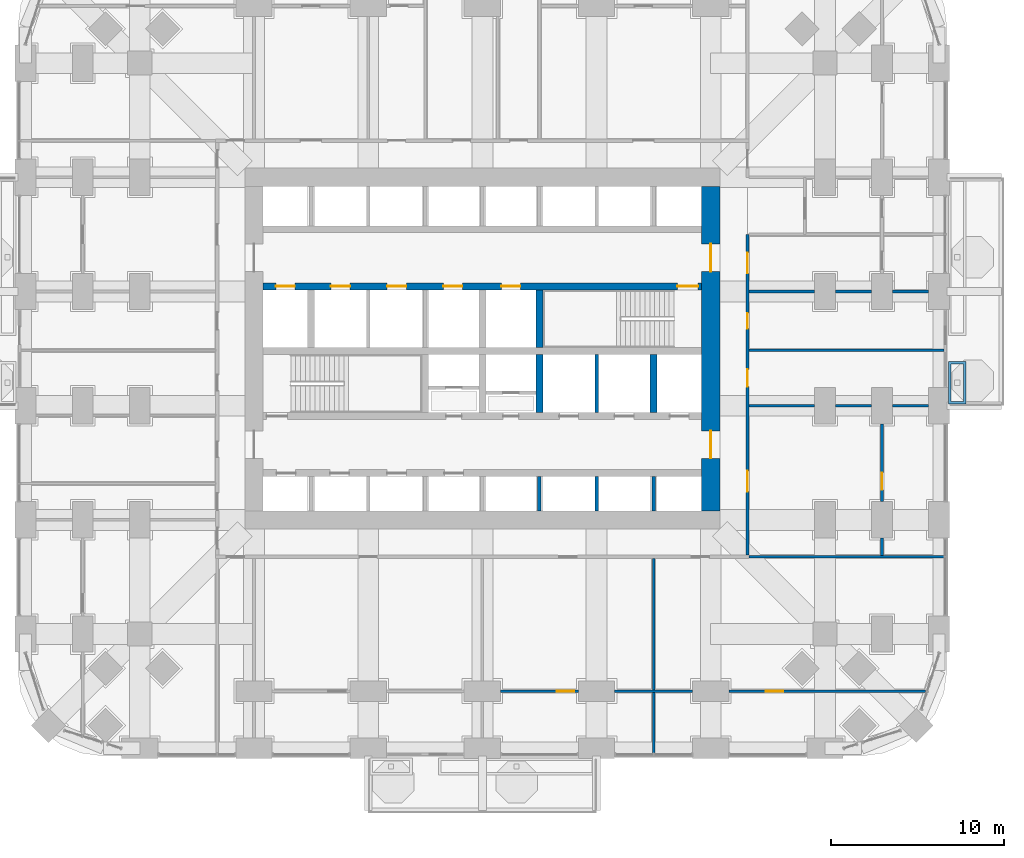
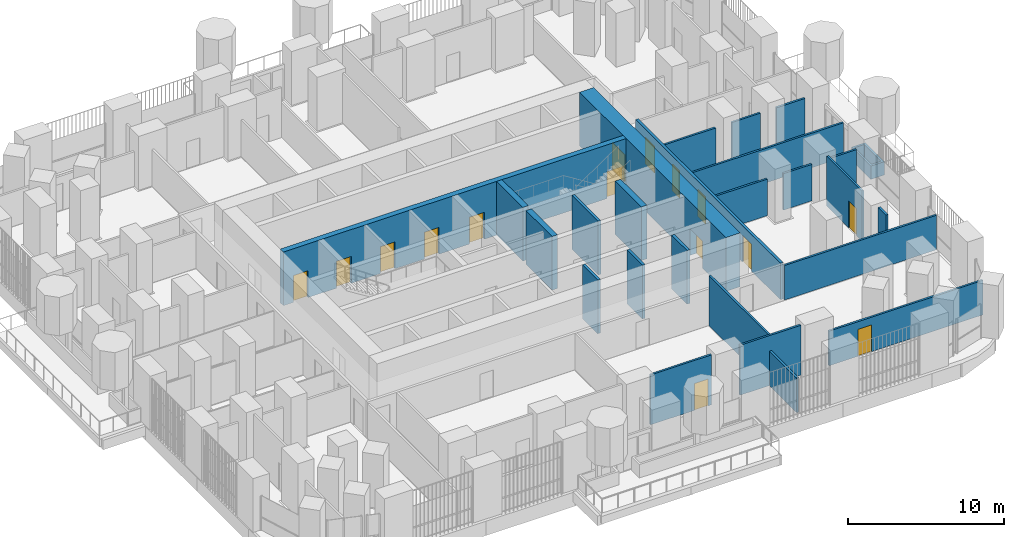
# One storey, part 19 of 26: 26 walls, 15 doors, 15 openings.
"""IFC4 building model written with IfcOpenShell, lengths in metres."""

import ifcopenshell
import ifcopenshell.guid

model = None  # the IFC model being written
_history = None  # IfcOwnerHistory: only IFC2X3 demands one
_inside = {}  # id of a spatial element -> (the spatial element, [elements in it])
_under = {}  # id of a project, library or spatial element -> (it, [spatial elements below it])
_declared = {}  # id of a project -> (the project, [libraries it declares])
_typed = {}  # id of a type object -> (the type object, [elements of that type])
_made_of = {}  # id of a material, layer set ... -> (it, [elements and type objects made of it])


def new_model(schema):
    """Start an empty IFC model of exactly this schema.

    Asked for "IFC4X3", IfcOpenShell would pick the latest addendum, in which some entities
    have other attributes; the version numbers below select the first issue.
    IFC2X3 requires an IfcOwnerHistory on every rooted entity: one is made here for all.
    """
    global model, _history
    if schema == "IFC4X3":
        model = ifcopenshell.file(schema_version=(4, 3, 0, 0))
    else:
        model = ifcopenshell.file(schema=schema)
    _inside.clear()
    _under.clear()
    _declared.clear()
    _typed.clear()
    _made_of.clear()
    _history = None
    if model.schema == "IFC2X3":
        org = make("IfcOrganization", Name="unknown")
        user = make(
            "IfcPersonAndOrganization",
            ThePerson=make("IfcPerson", FamilyName="unknown"),
            TheOrganization=org,
        )
        app = make(
            "IfcApplication",
            ApplicationDeveloper=org,
            Version="unknown",
            ApplicationFullName="unknown",
            ApplicationIdentifier="unknown",
        )
        _history = make(
            "IfcOwnerHistory",
            OwningUser=user,
            OwningApplication=app,
            ChangeAction="ADDED",
            CreationDate=0,
        )
    return model


def make(cls, **values):
    """One entity of the class cls with the attributes given. An attribute that is None is left unset."""
    return model.create_entity(
        cls, **{name: value for name, value in values.items() if value is not None}
    )


def rooted(cls, **values):
    """An entity with a GlobalId (a new one), such as an element, a storey or a relation."""
    return make(cls, GlobalId=ifcopenshell.guid.new(), OwnerHistory=_history, **values)


def si_unit(unit_type, name, prefix=None):
    """IfcSIUnit, for example si_unit("LENGTHUNIT", "METRE", prefix="MILLI")."""
    return make("IfcSIUnit", UnitType=unit_type, Prefix=prefix, Name=name)


def assignment(units):
    """IfcUnitAssignment: the units of a project."""
    return None if units is None else make("IfcUnitAssignment", Units=units)


def point(xyz):
    """IfcCartesianPoint."""
    return None if xyz is None else make("IfcCartesianPoint", Coordinates=xyz)


def direction(xyz):
    """IfcDirection."""
    return None if xyz is None else make("IfcDirection", DirectionRatios=xyz)


def frame(location, z_axis=None, x_axis=None):
    """IfcAxis2Placement3D, a coordinate frame: its origin and axes. An axis left out is left unset."""
    return make(
        "IfcAxis2Placement3D",
        Location=point(location),
        Axis=direction(z_axis),
        RefDirection=direction(x_axis),
    )


def frame_2d(location, x_axis=None):
    """IfcAxis2Placement2D, a coordinate frame in the plane: its origin and x axis."""
    return make(
        "IfcAxis2Placement2D", Location=point(location), RefDirection=direction(x_axis)
    )


def origin():
    """The frame at (0, 0, 0) with its axes left unset."""
    return frame((0.0, 0.0, 0.0))


def place(relative_to, where):
    """IfcLocalPlacement: puts the frame where relative to a parent placement (None: the world)."""
    return make(
        "IfcLocalPlacement", PlacementRelTo=relative_to, RelativePlacement=where
    )


def context(
    kind, dimensions, precision=None, world=None, true_north=None, identifier=None
):
    """IfcGeometricRepresentationContext, for example the 3D "Model" context."""
    return make(
        "IfcGeometricRepresentationContext",
        ContextIdentifier=identifier,
        ContextType=kind,
        CoordinateSpaceDimension=dimensions,
        Precision=precision,
        WorldCoordinateSystem=world,
        TrueNorth=true_north,
    )


def subcontext(parent, identifier, kind, view, scale=None):
    """IfcGeometricRepresentationSubContext, for example "Body" below "Model"."""
    return make(
        "IfcGeometricRepresentationSubContext",
        ContextIdentifier=identifier,
        ContextType=kind,
        ParentContext=parent,
        TargetScale=scale,
        TargetView=view,
    )


def project(units=None, contexts=None):
    """IfcProject with its units and contexts."""
    return rooted(
        "IfcProject",
        Name="project",
        RepresentationContexts=contexts,
        UnitsInContext=assignment(units),
    )


def spatial(cls, under=None, at=None, **own):
    """A site, building, storey or space (cls), placed at a placement, below another one or the project."""
    s = rooted(cls, ObjectPlacement=at, **own)
    if under is not None:
        _under.setdefault(under.id(), (under, []))[1].append(s)
    return s


def polyline(points):
    """IfcPolyline through the points."""
    return make("IfcPolyline", Points=[point(p) for p in points])


def profile(cls, at=None, kind="AREA", **sizes):
    """A parametric profile (cls). Its sizes go by their IFC names, for example OverallWidth=200.0."""
    return make(cls, ProfileType=kind, Position=at, **sizes)


def rectangle(**sizes):
    """IfcRectangleProfileDef."""
    return profile("IfcRectangleProfileDef", **sizes)


def outline(outer, holes=None, kind="AREA"):
    """IfcArbitraryClosedProfileDef: a profile drawn as a closed curve; with holes, ...WithVoids."""
    if holes is None:
        return make("IfcArbitraryClosedProfileDef", ProfileType=kind, OuterCurve=outer)
    return make(
        "IfcArbitraryProfileDefWithVoids",
        ProfileType=kind,
        OuterCurve=outer,
        InnerCurves=holes,
    )


def extrude(swept, where, along, depth):
    """IfcExtrudedAreaSolid: the profile swept, set in the frame where, extruded along a direction by depth."""
    return make(
        "IfcExtrudedAreaSolid",
        SweptArea=swept,
        Position=where,
        ExtrudedDirection=direction(along),
        Depth=depth,
    )


def shape(context_of_items, identifier, shape_type, items):
    """IfcShapeRepresentation: the items that make up one representation, for example the "Body"."""
    return make(
        "IfcShapeRepresentation",
        ContextOfItems=context_of_items,
        RepresentationIdentifier=identifier,
        RepresentationType=shape_type,
        Items=items,
    )


def material(Name=None, Category=None):
    """IfcMaterial."""
    return make("IfcMaterial", Name=Name, Category=Category)


def layer(
    of_material, thickness, ventilated=None, Name=None, Category=None, Priority=None
):
    """IfcMaterialLayer: one layer of a wall or slab, of a material (None: an air gap)."""
    return make(
        "IfcMaterialLayer",
        Material=of_material,
        LayerThickness=thickness,
        IsVentilated=ventilated,
        Name=Name,
        Category=Category,
        Priority=Priority,
    )


def layer_set(layers, Name=None):
    """IfcMaterialLayerSet."""
    return make("IfcMaterialLayerSet", MaterialLayers=layers, LayerSetName=Name)


def made_of(thing, what):
    """Note that an element or type object is made of a material, layer set ...; save() writes the relation."""
    if what is not None:
        _made_of.setdefault(what.id(), (what, []))[1].append(thing)
    return thing


def type_object(cls, material=None, **own):
    """A type object (cls), such as IfcWallType, which elements share."""
    return made_of(rooted(cls, **own), material)


def element(
    cls,
    number,
    at=None,
    inside=None,
    cuts=None,
    type_object=None,
    material=None,
    context=None,
    identifier="Body",
    shape_type=None,
    held_by="IfcProductDefinitionShape",
    body=None,
    shapes=None,
    **own,
):
    """One element of the class cls, such as IfcWall. Its Tag is "e" and its number.

    at: its placement. inside: the storey or other place that contains it. cuts: it is an
    opening in that element (IfcRelVoidsElement). A single representation is given by context,
    identifier, shape_type and body (its items); several are given by shapes. held_by: the class
    of the entity that holds the representations. save() writes the other relations.
    """
    e = rooted(cls, Tag="e%d" % number, ObjectPlacement=at, **own)
    if body is not None:
        shapes = [shape(context, identifier, shape_type, body)]
    if shapes is not None:
        e.Representation = make(held_by, Representations=shapes)
    if inside is not None:
        _inside.setdefault(inside.id(), (inside, []))[1].append(e)
    if cuts is not None:
        rooted(
            "IfcRelVoidsElement", RelatingBuildingElement=cuts, RelatedOpeningElement=e
        )
    if type_object is not None:
        _typed.setdefault(type_object.id(), (type_object, []))[1].append(e)
    return made_of(e, material)


def fill(opening, filler):
    """IfcRelFillsElement: the door or window that sits in an opening."""
    return rooted(
        "IfcRelFillsElement",
        RelatingOpeningElement=opening,
        RelatedBuildingElement=filler,
    )


def aggregate(whole, parts):
    """IfcRelAggregates: a whole, such as a stair, and the parts it consists of."""
    return rooted("IfcRelAggregates", RelatingObject=whole, RelatedObjects=parts)


def save(model, path):
    """Write the relations noted so far, then the file.

    IfcRelAggregates (storeys below a building ...), IfcRelContainedInSpatialStructure (elements
    in a storey), IfcRelDefinesByType, IfcRelAssociatesMaterial and IfcRelDeclares: one each for
    every whole, place, type object, material and project.
    """
    for whole, parts in _under.values():
        aggregate(whole, parts)
    for where, things in _inside.values():
        rooted(
            "IfcRelContainedInSpatialStructure",
            RelatedElements=things,
            RelatingStructure=where,
        )
    for kind, things in _typed.values():
        rooted("IfcRelDefinesByType", RelatedObjects=things, RelatingType=kind)
    for what, things in _made_of.values():
        rooted("IfcRelAssociatesMaterial", RelatedObjects=things, RelatingMaterial=what)
    for by, libraries in _declared.values():
        rooted("IfcRelDeclares", RelatingContext=by, RelatedDefinitions=libraries)
    model.write(path)


model = new_model("IFC4")

# Units and contexts
model_context = context("Model", 3, precision=1e-05, world=origin(), true_north=direction((0.0, 1.0)))
body_context = subcontext(model_context, "Body", "Model", "MODEL_VIEW")
ifc_project = project(units=[si_unit("LENGTHUNIT", "METRE"), si_unit("AREAUNIT", "SQUARE_METRE"), si_unit("VOLUMEUNIT", "CUBIC_METRE"), si_unit("PLANEANGLEUNIT", "RADIAN"), si_unit("MASSUNIT", "GRAM", prefix="KILO")], contexts=[model_context])

# Site, building, storey
site_placement = place(None, origin())
site = spatial("IfcSite", under=ifc_project, at=site_placement, CompositionType="ELEMENT")
building_placement = place(site_placement, origin())
building = spatial("IfcBuilding", under=site, at=building_placement, Name="Cobogo Forest Laboratory Tower", CompositionType="ELEMENT")
storey_placement = place(building_placement, frame((0.0, 0.0, 25.5)))
storey = spatial("IfcBuildingStorey", under=building, at=storey_placement, Name="L05", CompositionType="ELEMENT", Elevation=25.5)

# Wall, openings, doors
ifc_material_1 = material(Name="Concrete HA-50 (C50/60)", Category="concrete")
ifc_layer_1 = layer(ifc_material_1, 0.39990234375)
ifc_layer_set_1 = layer_set([ifc_layer_1], Name="CI400 core inner wall 400")
wall_type_1 = type_object("IfcWallType", Name="CI400 core inner wall 400", PredefinedType="SHEAR", material=ifc_layer_set_1)
wall_1_placement = place(storey_placement, frame((13.72509765625, 26.699951171875, 0.0), z_axis=(0.0, 0.0, 1.0), x_axis=(1.0, 0.0, 0.0)))
wall_1 = element("IfcWall", 1, at=wall_1_placement, inside=storey, type_object=wall_type_1, Name="Core wall CI-26.7 L05", PredefinedType="SHEAR", context=body_context, shape_type="SweptSolid", body=[
    extrude(rectangle(XDim=25.349853515625, YDim=0.39990234375, at=frame_2d((12.6748046875, 0.0))), origin(), (0.0, 0.0, 1.0), 4.199951171875),
])
opening_1_placement = place(wall_1_placement, frame((23.949951171875, 0.0, 0.0)))
opening_1 = element("IfcOpeningElement", 2, at=opening_1_placement, cuts=wall_1, Name="Opening L05-D28", PredefinedType="OPENING", context=body_context, shape_type="SweptSolid", body=[
    extrude(rectangle(XDim=1.199951171875, YDim=2.10009765625, at=frame_2d((0.60009765625, 1.050048828125))), frame((0.0, 0.2099609375, 0.0), z_axis=(0.0, -1.0, 0.0), x_axis=(1.0, 0.0, 0.0)), (0.0, 0.0, 1.0), 0.419921875),
])
opening_2_placement = place(wall_1_placement, frame((0.737548828125, 0.0, 0.0)))
opening_2 = element("IfcOpeningElement", 3, at=opening_2_placement, cuts=wall_1, Name="Opening L05-LD-FL1", PredefinedType="OPENING", context=body_context, shape_type="SweptSolid", body=[
    extrude(rectangle(XDim=1.10009765625, YDim=2.10009765625, at=frame_2d((0.550048828125, 1.050048828125))), frame((0.0, 0.2099609375, 0.0), z_axis=(0.0, -1.0, 0.0), x_axis=(1.0, 0.0, 0.0)), (0.0, 0.0, 1.0), 0.419921875),
])
opening_3_placement = place(wall_1_placement, frame((3.925048828125, 0.0, 0.0)))
opening_3 = element("IfcOpeningElement", 4, at=opening_3_placement, cuts=wall_1, Name="Opening L05-LD-LS3", PredefinedType="OPENING", context=body_context, shape_type="SweptSolid", body=[
    extrude(rectangle(XDim=1.10009765625, YDim=2.10009765625, at=frame_2d((0.550048828125, 1.050048828125))), frame((0.0, 0.2099609375, 0.0), z_axis=(0.0, -1.0, 0.0), x_axis=(1.0, 0.0, 0.0)), (0.0, 0.0, 1.0), 0.419921875),
])
opening_4_placement = place(wall_1_placement, frame((7.175048828125, 0.0, 0.0)))
opening_4 = element("IfcOpeningElement", 5, at=opening_4_placement, cuts=wall_1, Name="Opening L05-LD-LS4", PredefinedType="OPENING", context=body_context, shape_type="SweptSolid", body=[
    extrude(rectangle(XDim=1.10009765625, YDim=2.10009765625, at=frame_2d((0.550048828125, 1.050048828125))), frame((0.0, 0.2099609375, 0.0), z_axis=(0.0, -1.0, 0.0), x_axis=(1.0, 0.0, 0.0)), (0.0, 0.0, 1.0), 0.419921875),
])
opening_5_placement = place(wall_1_placement, frame((10.425048828125, 0.0, 0.0)))
opening_5 = element("IfcOpeningElement", 6, at=opening_5_placement, cuts=wall_1, Name="Opening L05-LD-LS5", PredefinedType="OPENING", context=body_context, shape_type="SweptSolid", body=[
    extrude(rectangle(XDim=1.10009765625, YDim=2.10009765625, at=frame_2d((0.550048828125, 1.050048828125))), frame((0.0, 0.2099609375, 0.0), z_axis=(0.0, -1.0, 0.0), x_axis=(1.0, 0.0, 0.0)), (0.0, 0.0, 1.0), 0.419921875),
])
opening_6_placement = place(wall_1_placement, frame((13.77490234375, 0.0, 0.0)))
opening_6 = element("IfcOpeningElement", 7, at=opening_6_placement, cuts=wall_1, Name="Opening L05-LD-LS6", PredefinedType="OPENING", context=body_context, shape_type="SweptSolid", body=[
    extrude(rectangle(XDim=1.10009765625, YDim=2.10009765625, at=frame_2d((0.550048828125, 1.050048828125))), frame((0.0, 0.2099609375, 0.0), z_axis=(0.0, -1.0, 0.0), x_axis=(1.0, 0.0, 0.0)), (0.0, 0.0, 1.0), 0.419921875),
])
ifc_material_2 = material(Name="Steel fire door", Category="steel")
door_type_1 = type_object("IfcDoorType", Name="DS1 protected stair door 1200 EI2 60", OperationType="SINGLE_SWING_LEFT", PredefinedType="DOOR", material=ifc_material_2)
door_1_placement = place(opening_1_placement, origin())
door_1 = element("IfcDoor", 8, at=door_1_placement, inside=storey, type_object=door_type_1, Name="Door L05-ST2", OperationType="SINGLE_SWING_RIGHT", OverallHeight=2.10009765625, OverallWidth=1.199951171875, PredefinedType="DOOR", context=body_context, shape_type="SweptSolid", body=[
    extrude(rectangle(XDim=1.199951171875, YDim=2.10009765625, at=frame_2d((0.60009765625, 1.050048828125))), frame((0.0, 0.02490234375, 0.0), z_axis=(0.0, -1.0, 0.0), x_axis=(1.0, 0.0, 0.0)), (0.0, 0.0, 1.0), 0.050048828125),
])
fill(opening_1, door_1)
ifc_material_3 = material(Name="Stainless steel lift door", Category="steel")
door_type_2 = type_object("IfcDoorType", Name="LD lift landing door 1100", OperationType="DOUBLE_DOOR_SLIDING", PredefinedType="DOOR", material=ifc_material_3)
door_2_placement = place(opening_2_placement, origin())
door_2 = element("IfcDoor", 9, at=door_2_placement, inside=storey, type_object=door_type_2, Name="Lift landing door FL1 L05", OperationType="DOUBLE_DOOR_SLIDING", OverallHeight=2.10009765625, OverallWidth=1.10009765625, PredefinedType="DOOR", context=body_context, shape_type="SweptSolid", body=[
    extrude(rectangle(XDim=1.10009765625, YDim=2.10009765625, at=frame_2d((0.550048828125, 1.050048828125))), frame((0.0, 0.02490234375, 0.0), z_axis=(0.0, -1.0, 0.0), x_axis=(1.0, 0.0, 0.0)), (0.0, 0.0, 1.0), 0.050048828125),
])
fill(opening_2, door_2)
door_3_placement = place(opening_3_placement, origin())
door_3 = element("IfcDoor", 10, at=door_3_placement, inside=storey, type_object=door_type_2, Name="Lift landing door LS3 L05", OperationType="DOUBLE_DOOR_SLIDING", OverallHeight=2.10009765625, OverallWidth=1.10009765625, PredefinedType="DOOR", context=body_context, shape_type="SweptSolid", body=[
    extrude(rectangle(XDim=1.10009765625, YDim=2.10009765625, at=frame_2d((0.550048828125, 1.050048828125))), frame((0.0, 0.02490234375, 0.0), z_axis=(0.0, -1.0, 0.0), x_axis=(1.0, 0.0, 0.0)), (0.0, 0.0, 1.0), 0.050048828125),
])
fill(opening_3, door_3)
door_4_placement = place(opening_4_placement, origin())
door_4 = element("IfcDoor", 11, at=door_4_placement, inside=storey, type_object=door_type_2, Name="Lift landing door LS4 L05", OperationType="DOUBLE_DOOR_SLIDING", OverallHeight=2.10009765625, OverallWidth=1.10009765625, PredefinedType="DOOR", context=body_context, shape_type="SweptSolid", body=[
    extrude(rectangle(XDim=1.10009765625, YDim=2.10009765625, at=frame_2d((0.550048828125, 1.050048828125))), frame((0.0, 0.02490234375, 0.0), z_axis=(0.0, -1.0, 0.0), x_axis=(1.0, 0.0, 0.0)), (0.0, 0.0, 1.0), 0.050048828125),
])
fill(opening_4, door_4)
door_5_placement = place(opening_5_placement, origin())
door_5 = element("IfcDoor", 12, at=door_5_placement, inside=storey, type_object=door_type_2, Name="Lift landing door LS5 L05", OperationType="DOUBLE_DOOR_SLIDING", OverallHeight=2.10009765625, OverallWidth=1.10009765625, PredefinedType="DOOR", context=body_context, shape_type="SweptSolid", body=[
    extrude(rectangle(XDim=1.10009765625, YDim=2.10009765625, at=frame_2d((0.550048828125, 1.050048828125))), frame((0.0, 0.02490234375, 0.0), z_axis=(0.0, -1.0, 0.0), x_axis=(1.0, 0.0, 0.0)), (0.0, 0.0, 1.0), 0.050048828125),
])
fill(opening_5, door_5)
door_6_placement = place(opening_6_placement, origin())
door_6 = element("IfcDoor", 13, at=door_6_placement, inside=storey, type_object=door_type_2, Name="Lift landing door LS6 L05", OperationType="DOUBLE_DOOR_SLIDING", OverallHeight=2.10009765625, OverallWidth=1.10009765625, PredefinedType="DOOR", context=body_context, shape_type="SweptSolid", body=[
    extrude(rectangle(XDim=1.10009765625, YDim=2.10009765625, at=frame_2d((0.550048828125, 1.050048828125))), frame((0.0, 0.02490234375, 0.0), z_axis=(0.0, -1.0, 0.0), x_axis=(1.0, 0.0, 0.0)), (0.0, 0.0, 1.0), 0.050048828125),
])
fill(opening_6, door_6)

# Walls
for number, where, z_axis, x_axis, name in (
    (14, (29.699951171875, 19.39990234375, 0.0), (0.0, 0.0, 1.0), (0.0, 1.0, 0.0), "Core wall CX-29.7S L05"),
    (15, (36.300048828125, 19.39990234375, 0.0), (0.0, 0.0, 1.0), (0.0, 1.0, 0.0), "Core wall CX-36.3 L05"),
    (16, (29.699951171875, 23.14990234375, 0.0), (0.0, 0.0, 1.0), (0.0, 1.0, 0.0), "Core wall CX-29.7N L05"),
):
    element("IfcWall", number, at=place(storey_placement, frame(where, z_axis=z_axis, x_axis=x_axis)), inside=storey, type_object=wall_type_1, Name=name, PredefinedType="SHEAR", context=body_context, shape_type="SweptSolid", body=[
        extrude(rectangle(XDim=3.35009765625, YDim=0.39990234375, at=frame_2d((1.675048828125, 0.0))), origin(), (0.0, 0.0, 1.0), 4.199951171875),
    ])

# Wall, openings, doors
ifc_layer_2 = layer(ifc_material_1, 1.050048828125)
ifc_layer_set_2 = layer_set([ifc_layer_2], Name="CW1050 core outer wall 1050")
wall_type_2 = type_object("IfcWallType", Name="CW1050 core outer wall 1050", PredefinedType="SHEAR", material=ifc_layer_set_2)
wall_2_placement = place(storey_placement, frame((39.60009765625, 13.72509765625, 0.0), z_axis=(0.0, 0.0, 1.0), x_axis=(0.0, 1.0, 0.0)))
wall_2 = element("IfcWall", 17, at=wall_2_placement, inside=storey, type_object=wall_type_2, Name="Core wall CO-E L05", PredefinedType="SHEAR", context=body_context, shape_type="SweptSolid", body=[
    extrude(rectangle(XDim=18.75, YDim=1.050048828125, at=frame_2d((9.375, 0.0))), origin(), (0.0, 0.0, 1.0), 4.199951171875),
])
opening_7_placement = place(wall_2_placement, frame((3.02490234375, 0.0, 0.0)))
opening_7 = element("IfcOpeningElement", 18, at=opening_7_placement, cuts=wall_2, Name="Opening L05-D16", PredefinedType="OPENING", context=body_context, shape_type="SweptSolid", body=[
    extrude(rectangle(XDim=1.60009765625, YDim=2.10009765625, at=frame_2d((0.800048828125, 1.050048828125))), frame((0.0, 0.534912109375, 0.0), z_axis=(0.0, -1.0, 0.0), x_axis=(1.0, 0.0, 0.0)), (0.0, 0.0, 1.0), 1.070068359375),
])
opening_8_placement = place(wall_2_placement, frame((13.824951171875, 0.0, 0.0)))
opening_8 = element("IfcOpeningElement", 19, at=opening_8_placement, cuts=wall_2, Name="Opening L05-D32", PredefinedType="OPENING", context=body_context, shape_type="SweptSolid", body=[
    extrude(rectangle(XDim=1.60009765625, YDim=2.10009765625, at=frame_2d((0.800048828125, 1.050048828125))), frame((0.0, 0.534912109375, 0.0), z_axis=(0.0, -1.0, 0.0), x_axis=(1.0, 0.0, 0.0)), (0.0, 0.0, 1.0), 1.070068359375),
])
door_type_3 = type_object("IfcDoorType", Name="DS2 protected lobby door pair 1600 EI2 60", OperationType="DOUBLE_DOOR_DOUBLE_SWING", PredefinedType="DOOR", material=ifc_material_2)
door_7_placement = place(opening_7_placement, origin())
door_7 = element("IfcDoor", 20, at=door_7_placement, inside=storey, type_object=door_type_3, Name="Door L05-CO-E-S", OperationType="DOUBLE_DOOR_DOUBLE_SWING", OverallHeight=2.10009765625, OverallWidth=1.60009765625, PredefinedType="DOOR", context=body_context, shape_type="SweptSolid", body=[
    extrude(rectangle(XDim=1.60009765625, YDim=2.10009765625, at=frame_2d((0.800048828125, 1.050048828125))), frame((0.0, 0.02490234375, 0.0), z_axis=(0.0, -1.0, 0.0), x_axis=(1.0, 0.0, 0.0)), (0.0, 0.0, 1.0), 0.050048828125),
])
fill(opening_7, door_7)
door_8_placement = place(opening_8_placement, origin())
door_8 = element("IfcDoor", 21, at=door_8_placement, inside=storey, type_object=door_type_3, Name="Door L05-CO-E-N", OperationType="DOUBLE_DOOR_DOUBLE_SWING", OverallHeight=2.10009765625, OverallWidth=1.60009765625, PredefinedType="DOOR", context=body_context, shape_type="SweptSolid", body=[
    extrude(rectangle(XDim=1.60009765625, YDim=2.10009765625, at=frame_2d((0.800048828125, 1.050048828125))), frame((0.0, 0.02490234375, 0.0), z_axis=(0.0, -1.0, 0.0), x_axis=(1.0, 0.0, 0.0)), (0.0, 0.0, 1.0), 0.050048828125),
])
fill(opening_8, door_8)

# Wall
ifc_material_4 = material(Name="Gypsum board on steel studs", Category="steel")
ifc_layer_3 = layer(ifc_material_4, 0.14990234375)
ifc_layer_set_3 = layer_set([ifc_layer_3], Name="PT1 laboratory partition 150")
wall_type_3 = type_object("IfcWallType", Name="PT1 laboratory partition 150", PredefinedType="PARTITIONING", material=ifc_layer_set_3)
wall_3_placement = place(storey_placement, frame((53.070068359375, 11.074951171875, 0.0), z_axis=(0.0, 0.0, 1.0), x_axis=(-1.0, 0.0, 0.0)))
element("IfcWall", 22, at=wall_3_placement, inside=storey, type_object=wall_type_3, Name="Partition PW-SE L05", PredefinedType="PARTITIONING", context=body_context, shape_type="SweptSolid", body=[
    extrude(rectangle(XDim=11.2451171875, YDim=0.14990234375, at=frame_2d((5.62255859375, 0.0))), origin(), (0.0, 0.0, 1.0), 2.699951171875),
])

# Wall, opening, door
wall_4_placement = place(storey_placement, frame((27.449951171875, 3.300048828125, 0.0), z_axis=(0.0, 0.0, 1.0), x_axis=(1.0, 0.0, 0.0)))
wall_4 = element("IfcWall", 23, at=wall_4_placement, inside=storey, type_object=wall_type_3, Name="Partition STRIP-S-3 L05", PredefinedType="PARTITIONING", context=body_context, shape_type="SweptSolid", body=[
    extrude(rectangle(XDim=4.5, YDim=0.14990234375, at=frame_2d((2.25, 0.0))), origin(), (0.0, 0.0, 1.0), 3.89990234375),
])
opening_9_placement = place(wall_4_placement, frame((3.25, 0.0, 0.0)))
opening_9 = element("IfcOpeningElement", 24, at=opening_9_placement, cuts=wall_4, Name="Opening L05-D03", PredefinedType="OPENING", context=body_context, shape_type="SweptSolid", body=[
    extrude(rectangle(XDim=1.0, YDim=2.10009765625, at=frame_2d((0.5, 1.050048828125))), frame((0.0, 0.0849609375, 0.0), z_axis=(0.0, -1.0, 0.0), x_axis=(1.0, 0.0, 0.0)), (0.0, 0.0, 1.0), 0.169921875),
])
ifc_material_5 = material(Name="Timber fire door", Category="wood")
door_type_4 = type_object("IfcDoorType", Name="FD2 fire door 1000 EI2 30", OperationType="SINGLE_SWING_LEFT", PredefinedType="DOOR", material=ifc_material_5)
door_9_placement = place(opening_9_placement, origin())
door_9 = element("IfcDoor", 25, at=door_9_placement, inside=storey, type_object=door_type_4, Name="Door L05-S3W", OperationType="SINGLE_SWING_RIGHT", OverallHeight=2.10009765625, OverallWidth=1.0, PredefinedType="DOOR", context=body_context, shape_type="SweptSolid", body=[
    extrude(rectangle(XDim=1.0, YDim=2.10009765625, at=frame_2d((0.5, 1.050048828125))), frame((0.0, 0.02490234375, 0.0), z_axis=(0.0, -1.0, 0.0), x_axis=(1.0, 0.0, 0.0)), (0.0, 0.0, 1.0), 0.050048828125),
])
fill(opening_9, door_9)

# Wall
wall_5_placement = place(storey_placement, frame((34.050048828125, 3.300048828125, 0.0), z_axis=(0.0, 0.0, 1.0), x_axis=(1.0, 0.0, 0.0)))
element("IfcWall", 26, at=wall_5_placement, inside=storey, type_object=wall_type_3, Name="Partition STRIP-S-4 L05", PredefinedType="PARTITIONING", context=body_context, shape_type="SweptSolid", body=[
    extrude(rectangle(XDim=4.5, YDim=0.14990234375, at=frame_2d((2.25, 0.0))), origin(), (0.0, 0.0, 1.0), 3.89990234375),
])

# Wall, opening, door
wall_6_placement = place(storey_placement, frame((40.64990234375, 3.300048828125, 0.0), z_axis=(0.0, 0.0, 1.0), x_axis=(1.0, 0.0, 0.0)))
wall_6 = element("IfcWall", 27, at=wall_6_placement, inside=storey, type_object=wall_type_3, Name="Partition STRIP-S-5 L05", PredefinedType="PARTITIONING", context=body_context, shape_type="SweptSolid", body=[
    extrude(rectangle(XDim=11.3740234375, YDim=0.14990234375, at=frame_2d((5.68701171875, 0.0))), origin(), (0.0, 0.0, 1.0), 2.699951171875),
])
opening_10_placement = place(wall_6_placement, frame((2.14208984375, 0.0, 0.0)))
opening_10 = element("IfcOpeningElement", 28, at=opening_10_placement, cuts=wall_6, Name="Opening L05-D04", PredefinedType="OPENING", context=body_context, shape_type="SweptSolid", body=[
    extrude(rectangle(XDim=1.0, YDim=2.10009765625, at=frame_2d((0.5, 1.050048828125))), frame((0.0, 0.0849609375, 0.0), z_axis=(0.0, -1.0, 0.0), x_axis=(1.0, 0.0, 0.0)), (0.0, 0.0, 1.0), 0.169921875),
])
door_10_placement = place(opening_10_placement, origin())
door_10 = element("IfcDoor", 29, at=door_10_placement, inside=storey, type_object=door_type_4, Name="Door L05-S4W", OperationType="SINGLE_SWING_LEFT", OverallHeight=2.10009765625, OverallWidth=1.0, PredefinedType="DOOR", context=body_context, shape_type="SweptSolid", body=[
    extrude(rectangle(XDim=1.0, YDim=2.10009765625, at=frame_2d((0.5, 1.050048828125))), frame((0.0, 0.02490234375, 0.0), z_axis=(0.0, -1.0, 0.0), x_axis=(1.0, 0.0, 0.0)), (0.0, 0.0, 1.0), 0.050048828125),
])
fill(opening_10, door_10)

# Walls
wall_7_placement = place(storey_placement, frame((36.300048828125, -0.27001953125, 0.0), z_axis=(0.0, 0.0, 1.0), x_axis=(0.0, 1.0, 0.0)))
element("IfcWall", 30, at=wall_7_placement, inside=storey, type_object=wall_type_3, Name="Partition CUT-S36.3a-1 L05", PredefinedType="PARTITIONING", context=body_context, shape_type="SweptSolid", body=[
    extrude(rectangle(XDim=3.4951171875, YDim=0.14990234375, at=frame_2d((1.74755859375, 0.0))), origin(), (0.0, 0.0, 1.0), 2.699951171875),
])
wall_8_placement = place(storey_placement, frame((36.300048828125, 3.375, 0.0), z_axis=(0.0, 0.0, 1.0), x_axis=(0.0, 1.0, 0.0)))
element("IfcWall", 31, at=wall_8_placement, inside=storey, type_object=wall_type_3, Name="Partition CUT-S36.3b-1 L05", PredefinedType="PARTITIONING", context=body_context, shape_type="SweptSolid", body=[
    extrude(rectangle(XDim=7.60009765625, YDim=0.14990234375, at=frame_2d((3.800048828125, 0.0))), origin(), (0.0, 0.0, 1.0), 3.89990234375),
])
wall_9_placement = place(storey_placement, frame((49.5, 11.14990234375, 0.0), z_axis=(0.0, 0.0, 1.0), x_axis=(0.0, 1.0, 0.0)))
element("IfcWall", 32, at=wall_9_placement, inside=storey, type_object=wall_type_3, Name="Partition STRIP-E-1 L05", PredefinedType="PARTITIONING", context=body_context, shape_type="SweptSolid", body=[
    extrude(rectangle(XDim=1.0, YDim=0.14990234375, at=frame_2d((0.5, 0.0))), origin(), (0.0, 0.0, 1.0), 3.89990234375),
])

# Wall, opening, door
wall_10_placement = place(storey_placement, frame((49.5, 14.25, 0.0), z_axis=(0.0, 0.0, 1.0), x_axis=(0.0, 1.0, 0.0)))
wall_10 = element("IfcWall", 33, at=wall_10_placement, inside=storey, type_object=wall_type_3, Name="Partition STRIP-E-2 L05", PredefinedType="PARTITIONING", context=body_context, shape_type="SweptSolid", body=[
    extrude(rectangle(XDim=4.5, YDim=0.14990234375, at=frame_2d((2.25, 0.0))), origin(), (0.0, 0.0, 1.0), 3.89990234375),
])
opening_11_placement = place(wall_10_placement, frame((0.6875, 0.0, 0.0)))
opening_11 = element("IfcOpeningElement", 34, at=opening_11_placement, cuts=wall_10, Name="Opening L05-D13", PredefinedType="OPENING", context=body_context, shape_type="SweptSolid", body=[
    extrude(rectangle(XDim=1.0, YDim=2.10009765625, at=frame_2d((0.5, 1.050048828125))), frame((0.0, 0.0849609375, 0.0), z_axis=(0.0, -1.0, 0.0), x_axis=(1.0, 0.0, 0.0)), (0.0, 0.0, 1.0), 0.169921875),
])
door_11_placement = place(opening_11_placement, origin())
door_11 = element("IfcDoor", 35, at=door_11_placement, inside=storey, type_object=door_type_4, Name="Door L05-E1W", OperationType="SINGLE_SWING_LEFT", OverallHeight=2.10009765625, OverallWidth=1.0, PredefinedType="DOOR", context=body_context, shape_type="SweptSolid", body=[
    extrude(rectangle(XDim=1.0, YDim=2.10009765625, at=frame_2d((0.5, 1.050048828125))), frame((0.0, 0.02490234375, 0.0), z_axis=(0.0, -1.0, 0.0), x_axis=(1.0, 0.0, 0.0)), (0.0, 0.0, 1.0), 0.050048828125),
])
fill(opening_11, door_11)

# Walls
wall_11_placement = place(storey_placement, frame((53.070068359375, 23.0, 0.0), z_axis=(0.0, 0.0, 1.0), x_axis=(-1.0, 0.0, 0.0)))
element("IfcWall", 36, at=wall_11_placement, inside=storey, type_object=wall_type_3, Name="Partition SVC-E1-1 L05", PredefinedType="PARTITIONING", context=body_context, shape_type="SweptSolid", body=[
    extrude(rectangle(XDim=11.2451171875, YDim=0.14990234375, at=frame_2d((5.62255859375, 0.0))), origin(), (0.0, 0.0, 1.0), 2.699951171875),
])
for number, where, z_axis, x_axis, name in (
    (37, (52.199951171875, 26.39990234375, 0.0), (0.0, 0.0, 1.0), (-1.0, 0.0, 0.0), "Partition SVC-E2-1 L05"),
    (38, (48.89990234375, 26.39990234375, 0.0), (0.0, 0.0, 1.0), (-1.0, 0.0, 0.0), "Partition SVC-E2-2 L05"),
):
    element("IfcWall", number, at=place(storey_placement, frame(where, z_axis=z_axis, x_axis=x_axis)), inside=storey, type_object=wall_type_3, Name=name, PredefinedType="PARTITIONING", context=body_context, shape_type="SweptSolid", body=[
        extrude(rectangle(XDim=2.099853515625, YDim=0.14990234375, at=frame_2d((1.0498046875, 0.0))), origin(), (0.0, 0.0, 1.0), 2.85009765625),
    ])
wall_12_placement = place(storey_placement, frame((45.60009765625, 26.39990234375, 0.0), z_axis=(0.0, 0.0, 1.0), x_axis=(-1.0, 0.0, 0.0)))
element("IfcWall", 39, at=wall_12_placement, inside=storey, type_object=wall_type_3, Name="Partition SVC-E2-3 L05", PredefinedType="PARTITIONING", context=body_context, shape_type="SweptSolid", body=[
    extrude(rectangle(XDim=3.775146484375, YDim=0.14990234375, at=frame_2d((1.8876953125, 0.0))), origin(), (0.0, 0.0, 1.0), 2.85009765625),
])
for number, where, z_axis, x_axis, name in (
    (40, (52.199951171875, 19.800048828125, 0.0), (0.0, 0.0, 1.0), (-1.0, 0.0, 0.0), "Partition CUT-E19.8-1 L05"),
    (41, (48.89990234375, 19.800048828125, 0.0), (0.0, 0.0, 1.0), (-1.0, 0.0, 0.0), "Partition CUT-E19.8-2 L05"),
):
    element("IfcWall", number, at=place(storey_placement, frame(where, z_axis=z_axis, x_axis=x_axis)), inside=storey, type_object=wall_type_3, Name=name, PredefinedType="PARTITIONING", context=body_context, shape_type="SweptSolid", body=[
        extrude(rectangle(XDim=2.099853515625, YDim=0.14990234375, at=frame_2d((1.0498046875, 0.0))), origin(), (0.0, 0.0, 1.0), 2.85009765625),
    ])
wall_13_placement = place(storey_placement, frame((45.60009765625, 19.800048828125, 0.0), z_axis=(0.0, 0.0, 1.0), x_axis=(-1.0, 0.0, 0.0)))
element("IfcWall", 42, at=wall_13_placement, inside=storey, type_object=wall_type_3, Name="Partition CUT-E19.8-3 L05", PredefinedType="PARTITIONING", context=body_context, shape_type="SweptSolid", body=[
    extrude(rectangle(XDim=3.775146484375, YDim=0.14990234375, at=frame_2d((1.8876953125, 0.0))), origin(), (0.0, 0.0, 1.0), 2.85009765625),
])

# Wall, openings, doors
ifc_layer_4 = layer(ifc_material_4, 0.199951171875)
ifc_layer_set_4 = layer_set([ifc_layer_4], Name="PT2 fire-rated corridor partition 200")
wall_type_4 = type_object("IfcWallType", Name="PT2 fire-rated corridor partition 200", PredefinedType="PARTITIONING", material=ifc_layer_set_4)
wall_14_placement = place(storey_placement, frame((41.72509765625, 11.175048828125, 0.0), z_axis=(0.0, 0.0, 1.0), x_axis=(0.0, 1.0, 0.0)))
wall_14 = element("IfcWall", 43, at=wall_14_placement, inside=storey, type_object=wall_type_4, Name="Partition CORR-E-1 L05", PredefinedType="PARTITIONING", context=body_context, shape_type="SweptSolid", body=[
    extrude(rectangle(XDim=18.52490234375, YDim=0.199951171875, at=frame_2d((9.262451171875, 0.0))), origin(), (0.0, 0.0, 1.0), 2.85009765625),
])
opening_12_placement = place(wall_14_placement, frame((3.66259765625, 0.0, 0.0)))
opening_12 = element("IfcOpeningElement", 44, at=opening_12_placement, cuts=wall_14, Name="Opening L05-D12", PredefinedType="OPENING", context=body_context, shape_type="SweptSolid", body=[
    extrude(rectangle(XDim=1.199951171875, YDim=2.10009765625, at=frame_2d((0.60009765625, 1.050048828125))), frame((0.0, 0.10986328125, 0.0), z_axis=(0.0, -1.0, 0.0), x_axis=(1.0, 0.0, 0.0)), (0.0, 0.0, 1.0), 0.219970703125),
])
opening_13_placement = place(wall_14_placement, frame((9.72509765625, 0.0, 0.0)))
opening_13 = element("IfcOpeningElement", 45, at=opening_13_placement, cuts=wall_14, Name="Opening L05-D23", PredefinedType="OPENING", context=body_context, shape_type="SweptSolid", body=[
    extrude(rectangle(XDim=1.0, YDim=2.10009765625, at=frame_2d((0.5, 1.050048828125))), frame((0.0, 0.10986328125, 0.0), z_axis=(0.0, -1.0, 0.0), x_axis=(1.0, 0.0, 0.0)), (0.0, 0.0, 1.0), 0.219970703125),
])
opening_14_placement = place(wall_14_placement, frame((13.074951171875, 0.0, 0.0)))
opening_14 = element("IfcOpeningElement", 46, at=opening_14_placement, cuts=wall_14, Name="Opening L05-D27", PredefinedType="OPENING", context=body_context, shape_type="SweptSolid", body=[
    extrude(rectangle(XDim=0.89990234375, YDim=2.10009765625, at=frame_2d((0.449951171875, 1.050048828125))), frame((0.0, 0.10986328125, 0.0), z_axis=(0.0, -1.0, 0.0), x_axis=(1.0, 0.0, 0.0)), (0.0, 0.0, 1.0), 0.219970703125),
])
opening_15_placement = place(wall_14_placement, frame((16.27490234375, 0.0, 0.0)))
opening_15 = element("IfcOpeningElement", 47, at=opening_15_placement, cuts=wall_14, Name="Opening L05-D29", PredefinedType="OPENING", context=body_context, shape_type="SweptSolid", body=[
    extrude(rectangle(XDim=1.199951171875, YDim=2.10009765625, at=frame_2d((0.60009765625, 1.050048828125))), frame((0.0, 0.10986328125, 0.0), z_axis=(0.0, -1.0, 0.0), x_axis=(1.0, 0.0, 0.0)), (0.0, 0.0, 1.0), 0.219970703125),
])
ifc_material_6 = material(Name="Timber door", Category="wood")
door_type_5 = type_object("IfcDoorType", Name="D2 laboratory door 1200 unequal pair", OperationType="DOUBLE_DOOR_SINGLE_SWING", PredefinedType="DOOR", material=ifc_material_6)
door_12_placement = place(opening_12_placement, origin())
door_12 = element("IfcDoor", 48, at=door_12_placement, inside=storey, type_object=door_type_5, Name="Door L05-E1", OperationType="DOUBLE_DOOR_SINGLE_SWING", OverallHeight=2.10009765625, OverallWidth=1.199951171875, PredefinedType="DOOR", context=body_context, shape_type="SweptSolid", body=[
    extrude(rectangle(XDim=1.199951171875, YDim=2.10009765625, at=frame_2d((0.60009765625, 1.050048828125))), frame((0.0, 0.02490234375, 0.0), z_axis=(0.0, -1.0, 0.0), x_axis=(1.0, 0.0, 0.0)), (0.0, 0.0, 1.0), 0.050048828125),
])
fill(opening_12, door_12)
door_13_placement = place(opening_15_placement, origin())
door_13 = element("IfcDoor", 49, at=door_13_placement, inside=storey, type_object=door_type_5, Name="Door L05-E2", OperationType="DOUBLE_DOOR_SINGLE_SWING", OverallHeight=2.10009765625, OverallWidth=1.199951171875, PredefinedType="DOOR", context=body_context, shape_type="SweptSolid", body=[
    extrude(rectangle(XDim=1.199951171875, YDim=2.10009765625, at=frame_2d((0.60009765625, 1.050048828125))), frame((0.0, 0.02490234375, 0.0), z_axis=(0.0, -1.0, 0.0), x_axis=(1.0, 0.0, 0.0)), (0.0, 0.0, 1.0), 0.050048828125),
])
fill(opening_15, door_13)
door_type_6 = type_object("IfcDoorType", Name="FD1 fire door 1000 EI2 60", OperationType="SINGLE_SWING_LEFT", PredefinedType="DOOR", material=ifc_material_2)
door_14_placement = place(opening_13_placement, origin())
door_14 = element("IfcDoor", 50, at=door_14_placement, inside=storey, type_object=door_type_6, Name="Door L05-ELEC", OperationType="SINGLE_SWING_RIGHT", OverallHeight=2.10009765625, OverallWidth=1.0, PredefinedType="DOOR", context=body_context, shape_type="SweptSolid", body=[
    extrude(rectangle(XDim=1.0, YDim=2.10009765625, at=frame_2d((0.5, 1.050048828125))), frame((0.0, 0.02490234375, 0.0), z_axis=(0.0, -1.0, 0.0), x_axis=(1.0, 0.0, 0.0)), (0.0, 0.0, 1.0), 0.050048828125),
])
fill(opening_13, door_14)
door_type_7 = type_object("IfcDoorType", Name="FD4 riser access door 900 EI2 60", OperationType="SINGLE_SWING_LEFT", PredefinedType="DOOR", material=ifc_material_2)
door_15_placement = place(opening_14_placement, origin())
door_15 = element("IfcDoor", 51, at=door_15_placement, inside=storey, type_object=door_type_7, Name="Door L05-COMMS", OperationType="SINGLE_SWING_RIGHT", OverallHeight=2.10009765625, OverallWidth=0.89990234375, PredefinedType="DOOR", context=body_context, shape_type="SweptSolid", body=[
    extrude(rectangle(XDim=0.89990234375, YDim=2.10009765625, at=frame_2d((0.449951171875, 1.050048828125))), frame((0.0, 0.02490234375, 0.0), z_axis=(0.0, -1.0, 0.0), x_axis=(1.0, 0.0, 0.0)), (0.0, 0.0, 1.0), 0.050048828125),
])
fill(opening_14, door_15)

# Walls
ifc_material_7 = material(Name="Concrete HA-40 (C40/50)", Category="concrete")
ifc_layer_5 = layer(ifc_material_7, 0.14990234375)
ifc_layer_set_5 = layer_set([ifc_layer_5], Name="Planter box 1000x1050")
wall_type_5 = type_object("IfcWallType", Name="Planter box 1000x1050", PredefinedType="USERDEFINED", material=ifc_layer_set_5)
wall_15_placement = place(storey_placement, origin())
element("IfcWall", 52, at=wall_15_placement, inside=storey, type_object=wall_type_5, Name="Planter BAL-E1-1 L05", ObjectType="PLANTER", PredefinedType="USERDEFINED", context=body_context, shape_type="SweptSolid", body=[
    extrude(outline(polyline([(53.35009765625, 19.89990234375), (54.35009765625, 19.89990234375), (54.35009765625, 22.35009765625), (53.35009765625, 22.35009765625), (53.35009765625, 19.89990234375)]), holes=[polyline([(53.5, 20.050048828125), (54.199951171875, 20.050048828125), (54.199951171875, 22.199951171875), (53.5, 22.199951171875), (53.5, 20.050048828125)])]), origin(), (0.0, 0.0, 1.0), 1.050048828125),
])
ifc_material_8 = material(Name="Concrete block", Category="concrete")
ifc_layer_6 = layer(ifc_material_8, 0.199951171875)
ifc_layer_set_6 = layer_set([ifc_layer_6], Name="SW200 lift shaft separator 200")
wall_type_6 = type_object("IfcWallType", Name="SW200 lift shaft separator 200", PredefinedType="PARTITIONING", material=ifc_layer_set_6)
for number, where, z_axis, x_axis, name in (
    (53, (29.699951171875, 13.72509765625, 0.0), (0.0, 0.0, 1.0), (0.0, 1.0, 0.0), "Core wall SEP-S5 L05"),
    (54, (33.0, 13.72509765625, 0.0), (0.0, 0.0, 1.0), (0.0, 1.0, 0.0), "Core wall SEP-S6 L05"),
    (55, (36.300048828125, 13.72509765625, 0.0), (0.0, 0.0, 1.0), (0.0, 1.0, 0.0), "Core wall SEP-S7 L05"),
):
    element("IfcWall", number, at=place(storey_placement, frame(where, z_axis=z_axis, x_axis=x_axis)), inside=storey, type_object=wall_type_6, Name=name, PredefinedType="PARTITIONING", context=body_context, shape_type="SweptSolid", body=[
        extrude(rectangle(XDim=1.974853515625, YDim=0.199951171875, at=frame_2d((0.9873046875, 0.0))), origin(), (0.0, 0.0, 1.0), 4.199951171875),
    ])
wall_16_placement = place(storey_placement, frame((33.0, 19.39990234375, 0.0), z_axis=(0.0, 0.0, 1.0), x_axis=(0.0, 1.0, 0.0)))
element("IfcWall", 56, at=wall_16_placement, inside=storey, type_object=wall_type_6, Name="Core wall SEP-M33.0 L05", PredefinedType="PARTITIONING", context=body_context, shape_type="SweptSolid", body=[
    extrude(rectangle(XDim=3.35009765625, YDim=0.199951171875, at=frame_2d((1.675048828125, 0.0))), origin(), (0.0, 0.0, 1.0), 4.199951171875),
])

save(model, "model.ifc")
